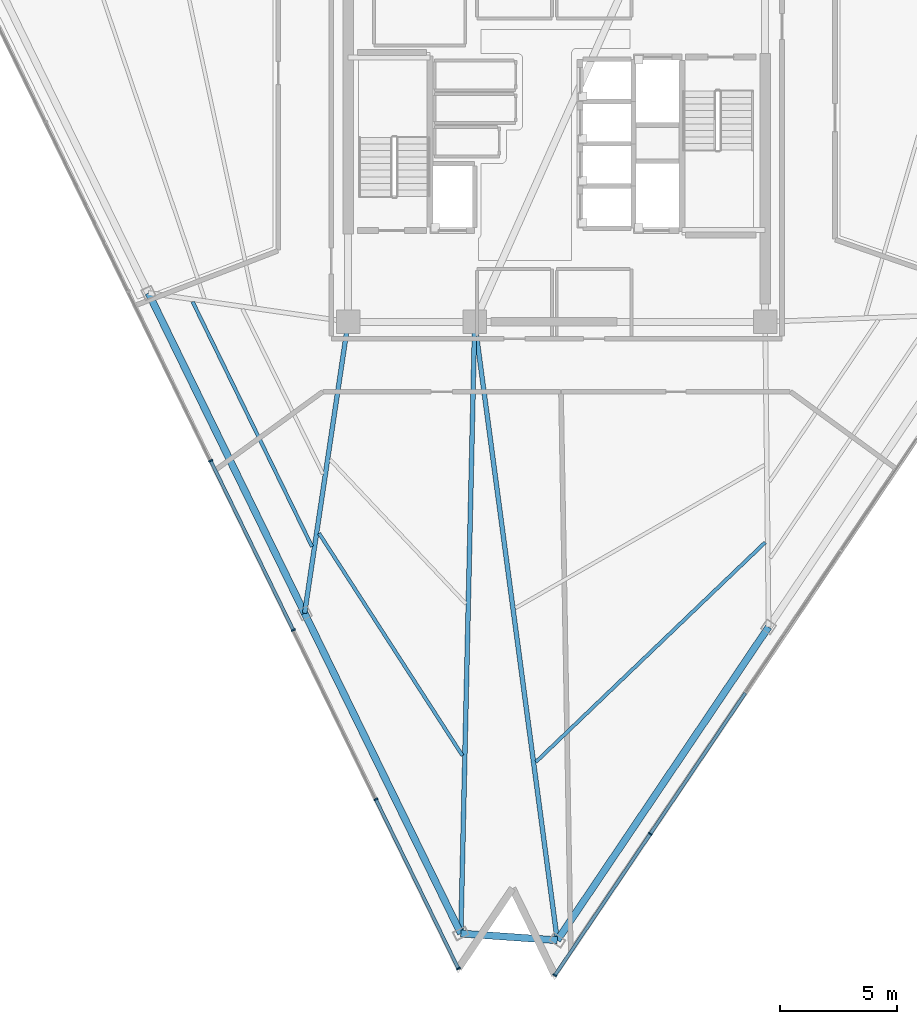
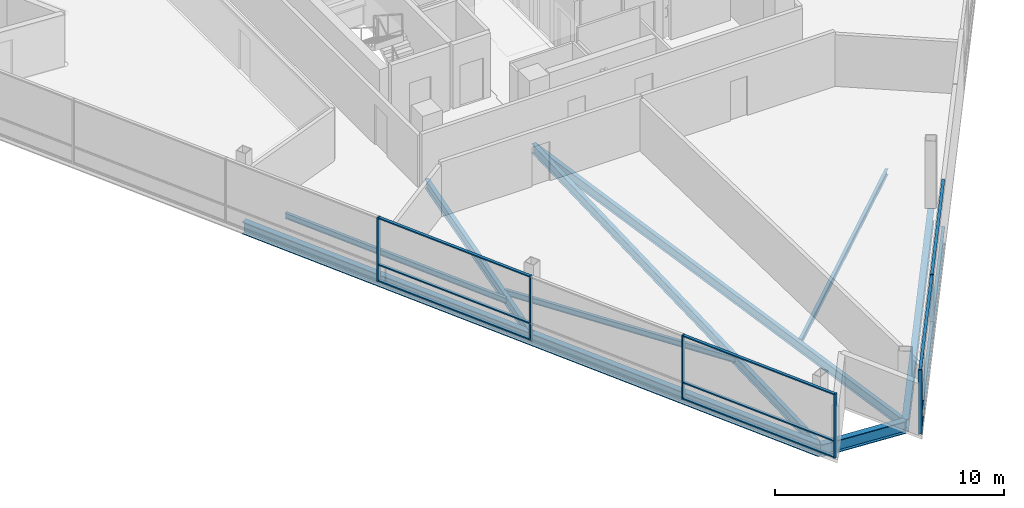
# One storey, part 2 of 14: 18 members, 10 beams, 2 elements without a shape of their own.
"""IFC4 building model written with IfcOpenShell, lengths in metres."""

from ifc_helpers import new_model, si_unit, direction, frame, origin, origin_2d, place, context, subcontext, project, spatial, rectangle, i_section, extrude, material, layer, layer_set, material_profile, profile_set, type_object, element, aggregate, save


model = new_model("IFC4")

# Units and contexts
model_context = context("Model", 3, precision=1e-05, world=origin(), true_north=direction((0.0, 1.0)))
body_context = subcontext(model_context, "Body", "Model", "MODEL_VIEW")
ifc_project = project(units=[si_unit("LENGTHUNIT", "METRE"), si_unit("AREAUNIT", "SQUARE_METRE"), si_unit("VOLUMEUNIT", "CUBIC_METRE"), si_unit("PLANEANGLEUNIT", "RADIAN"), si_unit("MASSUNIT", "GRAM", prefix="KILO")], contexts=[model_context])

# Site, building, storey
site_placement = place(None, origin())
site = spatial("IfcSite", under=ifc_project, at=site_placement, CompositionType="ELEMENT")
building_placement = place(site_placement, origin())
building = spatial("IfcBuilding", under=site, at=building_placement, Name="Tharavind Bronze Gate", CompositionType="ELEMENT")
storey_placement = place(building_placement, frame((0.0, 0.0, 241.449951171875)))
storey = spatial("IfcBuildingStorey", under=building, at=storey_placement, Name="L62", CompositionType="ELEMENT", Elevation=241.449951171875)

# Curtain wall, members
ifc_material_1 = material(Name="Anodised Bronze Aluminium", Category="aluminium")
ifc_layer = layer(ifc_material_1, 0.219970703125)
ifc_layer_set = layer_set([ifc_layer], Name="Anodised Bronze Aluminium")
curtain_wall_type = type_object("IfcCurtainWallType", Name="UNITISED CURTAIN WALL UPPER OFFICE", PredefinedType="USERDEFINED", material=ifc_layer_set)
curtain_wall_1_placement = place(storey_placement, origin())
curtain_wall_1 = element("IfcCurtainWall", 1, at=curtain_wall_1_placement, inside=storey, type_object=curtain_wall_type, Name="L62 unitised curtain wall upper office CW-L62-S1", ObjectType="UNITISED CURTAIN WALL", PredefinedType="USERDEFINED")
member_type_1 = type_object("IfcMemberType", Name="CURTAIN WALL BRONZE MULLION 65X180", PredefinedType="MULLION", material=ifc_material_1)
member_1_placement = place(storey_placement, frame((-14.76611328125, -13.532958984375, 0.0), z_axis=(0.0, 0.0, 1.0), x_axis=(0.438371146789, -0.898794046299, 0.0)))
member_1 = element("IfcMember", 2, at=member_1_placement, type_object=member_type_1, Name="CW-L62-S1 mullion 4", PredefinedType="MULLION", context=body_context, shape_type="SweptSolid", body=[
    extrude(rectangle(XDim=0.06494140625, YDim=0.179931640625, at=origin_2d()), origin(), (0.0, 0.0, 1.0), 3.419921875),
])
member_2_placement = place(storey_placement, frame((-11.24267578125, -20.75732421875, 0.0), z_axis=(0.0, 0.0, 1.0), x_axis=(0.438371146789, -0.898794046299, 0.0)))
member_2 = element("IfcMember", 3, at=member_2_placement, type_object=member_type_1, Name="CW-L62-S1 mullion 5", PredefinedType="MULLION", context=body_context, shape_type="SweptSolid", body=[
    extrude(rectangle(XDim=0.06494140625, YDim=0.179931640625, at=origin_2d()), origin(), (0.0, 0.0, 1.0), 3.419921875),
])
member_3_placement = place(storey_placement, frame((-7.718994140625, -27.98193359375, 0.0), z_axis=(0.0, 0.0, 1.0), x_axis=(0.438371146789, -0.898794046299, 0.0)))
member_3 = element("IfcMember", 4, at=member_3_placement, type_object=member_type_1, Name="CW-L62-S1 mullion 6", PredefinedType="MULLION", context=body_context, shape_type="SweptSolid", body=[
    extrude(rectangle(XDim=0.06494140625, YDim=0.179931640625, at=origin_2d()), origin(), (0.0, 0.0, 1.0), 3.419921875),
])
member_4_placement = place(storey_placement, frame((-4.1953125, -35.20654296875, 0.0), z_axis=(0.0, 0.0, 1.0), x_axis=(0.438371146789, -0.898794046299, 0.0)))
member_4 = element("IfcMember", 5, at=member_4_placement, type_object=member_type_1, Name="CW-L62-S1 mullion 7", PredefinedType="MULLION", context=body_context, shape_type="SweptSolid", body=[
    extrude(rectangle(XDim=0.06494140625, YDim=0.179931640625, at=origin_2d()), origin(), (0.0, 0.0, 1.0), 3.419921875),
])

curtain_wall_2_placement = place(storey_placement, origin())
curtain_wall_2 = element("IfcCurtainWall", 6, at=curtain_wall_2_placement, inside=storey, type_object=curtain_wall_type, Name="L62 unitised curtain wall upper office CW-L62-S2", ObjectType="UNITISED CURTAIN WALL", PredefinedType="USERDEFINED")
member_5_placement = place(storey_placement, frame((-0.077392578125, -35.494384765625, 0.0), z_axis=(0.0, 0.0, 1.0), x_axis=(0.559192903471, 0.829037572555, 0.0)))
member_5 = element("IfcMember", 7, at=member_5_placement, type_object=member_type_1, Name="CW-L62-S2 mullion 1", PredefinedType="MULLION", context=body_context, shape_type="SweptSolid", body=[
    extrude(rectangle(XDim=0.06494140625, YDim=0.179931640625, at=origin_2d()), origin(), (0.0, 0.0, 1.0), 3.419921875),
])
member_6_placement = place(storey_placement, frame((3.9951171875, -29.45654296875, 0.0), z_axis=(0.0, 0.0, 1.0), x_axis=(0.559192903471, 0.829037572555, 0.0)))
member_6 = element("IfcMember", 8, at=member_6_placement, type_object=member_type_1, Name="CW-L62-S2 mullion 2", PredefinedType="MULLION", context=body_context, shape_type="SweptSolid", body=[
    extrude(rectangle(XDim=0.06494140625, YDim=0.179931640625, at=origin_2d()), origin(), (0.0, 0.0, 1.0), 3.419921875),
])

# Member
member_type_2 = type_object("IfcMemberType", Name="CURTAIN WALL BRONZE TRANSOM 65X140", PredefinedType="USERDEFINED", material=ifc_material_1)
member_7_placement = place(storey_placement, frame((-13.00439453125, -17.145263671875, 0.0), z_axis=(0.0, 0.0, 1.0), x_axis=(0.438371146789, -0.898794046299, 0.0)))
member_7 = element("IfcMember", 9, at=member_7_placement, type_object=member_type_2, Name="CW-L62-S1 transom TB4", ObjectType="TRANSOM", PredefinedType="USERDEFINED", context=body_context, shape_type="SweptSolid", body=[
    extrude(rectangle(XDim=7.985107421875, YDim=0.139892578125, at=origin_2d()), origin(), (0.0, 0.0, 1.0), 0.06494140625),
])

member_8_placement = place(storey_placement, frame((-13.00439453125, -17.145263671875, 0.86767578125), z_axis=(0.0, 0.0, 1.0), x_axis=(0.438371146789, -0.898794046299, 0.0)))
member_8 = element("IfcMember", 10, at=member_8_placement, type_object=member_type_2, Name="CW-L62-S1 transom TS4", ObjectType="TRANSOM", PredefinedType="USERDEFINED", context=body_context, shape_type="SweptSolid", body=[
    extrude(rectangle(XDim=7.985107421875, YDim=0.139892578125, at=origin_2d()), origin(), (0.0, 0.0, 1.0), 0.06494140625),
])

member_9_placement = place(storey_placement, frame((-13.00439453125, -17.145263671875, 3.35498046875), z_axis=(0.0, 0.0, 1.0), x_axis=(0.438371146789, -0.898794046299, 0.0)))
member_9 = element("IfcMember", 11, at=member_9_placement, type_object=member_type_2, Name="CW-L62-S1 transom TT4", ObjectType="TRANSOM", PredefinedType="USERDEFINED", context=body_context, shape_type="SweptSolid", body=[
    extrude(rectangle(XDim=7.985107421875, YDim=0.139892578125, at=origin_2d()), origin(), (0.0, 0.0, 1.0), 0.06494140625),
])

member_10_placement = place(storey_placement, frame((-5.95703125, -31.59423828125, 0.0), z_axis=(0.0, 0.0, 1.0), x_axis=(0.438371146789, -0.898794046299, 0.0)))
member_10 = element("IfcMember", 12, at=member_10_placement, type_object=member_type_2, Name="CW-L62-S1 transom TB6", ObjectType="TRANSOM", PredefinedType="USERDEFINED", context=body_context, shape_type="SweptSolid", body=[
    extrude(rectangle(XDim=7.985107421875, YDim=0.139892578125, at=origin_2d()), origin(), (0.0, 0.0, 1.0), 0.06494140625),
])

member_11_placement = place(storey_placement, frame((-5.95703125, -31.59423828125, 0.86767578125), z_axis=(0.0, 0.0, 1.0), x_axis=(0.438371146789, -0.898794046299, 0.0)))
member_11 = element("IfcMember", 13, at=member_11_placement, type_object=member_type_2, Name="CW-L62-S1 transom TS6", ObjectType="TRANSOM", PredefinedType="USERDEFINED", context=body_context, shape_type="SweptSolid", body=[
    extrude(rectangle(XDim=7.985107421875, YDim=0.139892578125, at=origin_2d()), origin(), (0.0, 0.0, 1.0), 0.06494140625),
])

member_12_placement = place(storey_placement, frame((-5.95703125, -31.59423828125, 3.35498046875), z_axis=(0.0, 0.0, 1.0), x_axis=(0.438371146789, -0.898794046299, 0.0)))
member_12 = element("IfcMember", 14, at=member_12_placement, type_object=member_type_2, Name="CW-L62-S1 transom TT6", ObjectType="TRANSOM", PredefinedType="USERDEFINED", context=body_context, shape_type="SweptSolid", body=[
    extrude(rectangle(XDim=7.985107421875, YDim=0.139892578125, at=origin_2d()), origin(), (0.0, 0.0, 1.0), 0.06494140625),
])

aggregate(curtain_wall_1, [member_1, member_2, member_3, member_4, member_7, member_8, member_9, member_10, member_11, member_12])

member_13_placement = place(storey_placement, frame((1.958984375, -32.4755859375, 0.0), z_axis=(0.0, 0.0, 1.0), x_axis=(0.559192903471, 0.829037572555, 0.0)))
member_13 = element("IfcMember", 15, at=member_13_placement, type_object=member_type_2, Name="CW-L62-S2 transom TB1", ObjectType="TRANSOM", PredefinedType="USERDEFINED", context=body_context, shape_type="SweptSolid", body=[
    extrude(rectangle(XDim=7.22998046875, YDim=0.139892578125, at=origin_2d()), origin(), (0.0, 0.0, 1.0), 0.06494140625),
])

member_14_placement = place(storey_placement, frame((1.958984375, -32.4755859375, 0.86767578125), z_axis=(0.0, 0.0, 1.0), x_axis=(0.559192903471, 0.829037572555, 0.0)))
member_14 = element("IfcMember", 16, at=member_14_placement, type_object=member_type_2, Name="CW-L62-S2 transom TS1", ObjectType="TRANSOM", PredefinedType="USERDEFINED", context=body_context, shape_type="SweptSolid", body=[
    extrude(rectangle(XDim=7.22998046875, YDim=0.139892578125, at=origin_2d()), origin(), (0.0, 0.0, 1.0), 0.06494140625),
])

member_15_placement = place(storey_placement, frame((1.958984375, -32.4755859375, 3.35498046875), z_axis=(0.0, 0.0, 1.0), x_axis=(0.559192903471, 0.829037572555, 0.0)))
member_15 = element("IfcMember", 17, at=member_15_placement, type_object=member_type_2, Name="CW-L62-S2 transom TT1", ObjectType="TRANSOM", PredefinedType="USERDEFINED", context=body_context, shape_type="SweptSolid", body=[
    extrude(rectangle(XDim=7.22998046875, YDim=0.139892578125, at=origin_2d()), origin(), (0.0, 0.0, 1.0), 0.06494140625),
])

member_16_placement = place(storey_placement, frame((6.031494140625, -26.437744140625, 0.0), z_axis=(0.0, 0.0, 1.0), x_axis=(0.559192903471, 0.829037572555, 0.0)))
member_16 = element("IfcMember", 18, at=member_16_placement, type_object=member_type_2, Name="CW-L62-S2 transom TB2", ObjectType="TRANSOM", PredefinedType="USERDEFINED", context=body_context, shape_type="SweptSolid", body=[
    extrude(rectangle(XDim=7.22998046875, YDim=0.139892578125, at=origin_2d()), origin(), (0.0, 0.0, 1.0), 0.06494140625),
])

member_17_placement = place(storey_placement, frame((6.031494140625, -26.437744140625, 0.86767578125), z_axis=(0.0, 0.0, 1.0), x_axis=(0.559192903471, 0.829037572555, 0.0)))
member_17 = element("IfcMember", 19, at=member_17_placement, type_object=member_type_2, Name="CW-L62-S2 transom TS2", ObjectType="TRANSOM", PredefinedType="USERDEFINED", context=body_context, shape_type="SweptSolid", body=[
    extrude(rectangle(XDim=7.22998046875, YDim=0.139892578125, at=origin_2d()), origin(), (0.0, 0.0, 1.0), 0.06494140625),
])

member_18_placement = place(storey_placement, frame((6.031494140625, -26.437744140625, 3.35498046875), z_axis=(0.0, 0.0, 1.0), x_axis=(0.559192903471, 0.829037572555, 0.0)))
member_18 = element("IfcMember", 20, at=member_18_placement, type_object=member_type_2, Name="CW-L62-S2 transom TT2", ObjectType="TRANSOM", PredefinedType="USERDEFINED", context=body_context, shape_type="SweptSolid", body=[
    extrude(rectangle(XDim=7.22998046875, YDim=0.139892578125, at=origin_2d()), origin(), (0.0, 0.0, 1.0), 0.06494140625),
])

aggregate(curtain_wall_2, [member_5, member_6, member_13, member_14, member_15, member_16, member_17, member_18])

# Beams
ifc_material_2 = material(Name="Steel S355", Category="steel")
ifc_material_profile_1 = material_profile(ifc_material_2, i_section(OverallWidth=0.300048828125, OverallDepth=0.64990234375, WebThickness=0.01611328125, FlangeThickness=0.031005859375, at=origin_2d()), Name="HE650B")
ifc_profile_set_1 = profile_set([ifc_material_profile_1], Name="Steel S355")
beam_type_1 = type_object("IfcBeamType", Name="PRIMARY GIRDER HE650B", PredefinedType="USERDEFINED", material=ifc_profile_set_1)
beam_1_placement = place(storey_placement, frame((-17.42578125, -6.368896484375, -0.5048828125), z_axis=(0.438369868708, -0.89879466966, 0.0), x_axis=(0.89879466966, 0.438369868708, 0.0)))
element("IfcBeam", 21, at=beam_1_placement, inside=storey, type_object=beam_type_1, Name="L62 primary girder he650b BM-L62-PRG02", ObjectType="GIRDER", PredefinedType="USERDEFINED", context=body_context, shape_type="SweptSolid", body=[
    extrude(i_section(OverallWidth=0.300048828125, OverallDepth=0.64990234375, WebThickness=0.01611328125, FlangeThickness=0.031005859375, at=origin_2d()), origin(), (0.0, 0.0, 1.0), 15.209716796875),
])
beam_2_placement = place(storey_placement, frame((-10.75830078125, -20.039306640625, -0.5048828125), z_axis=(0.438370186885, -0.898794514475, 0.0), x_axis=(0.898794514475, 0.438370186885, 0.0)))
element("IfcBeam", 22, at=beam_2_placement, inside=storey, type_object=beam_type_1, Name="L62 primary girder he650b BM-L62-PRG03", ObjectType="GIRDER", PredefinedType="USERDEFINED", context=body_context, shape_type="SweptSolid", body=[
    extrude(i_section(OverallWidth=0.300048828125, OverallDepth=0.64990234375, WebThickness=0.01611328125, FlangeThickness=0.031005859375, at=origin_2d()), origin(), (0.0, 0.0, 1.0), 15.210205078125),
])
beam_3_placement = place(storey_placement, frame((-4.090576171875, -33.710205078125, -0.5048828125), z_axis=(0.99756592469, -0.069729662964, 0.0), x_axis=(0.069729662964, 0.99756592469, 0.0)))
element("IfcBeam", 23, at=beam_3_placement, inside=storey, type_object=beam_type_1, Name="L62 primary girder he650b BM-L62-PRG04", ObjectType="GIRDER", PredefinedType="USERDEFINED", context=body_context, shape_type="SweptSolid", body=[
    extrude(i_section(OverallWidth=0.300048828125, OverallDepth=0.64990234375, WebThickness=0.01611328125, FlangeThickness=0.031005859375, at=origin_2d()), origin(), (0.0, 0.0, 1.0), 4.1279296875),
])
beam_4_placement = place(storey_placement, frame((0.02734375, -33.998046875, -0.5048828125), z_axis=(0.559188128577, 0.829040793241, 0.0), x_axis=(-0.829040793241, 0.559188128577, 0.0)))
element("IfcBeam", 24, at=beam_4_placement, inside=storey, type_object=beam_type_1, Name="L62 primary girder he650b BM-L62-PRG05", ObjectType="GIRDER", PredefinedType="USERDEFINED", context=body_context, shape_type="SweptSolid", body=[
    extrude(i_section(OverallWidth=0.300048828125, OverallDepth=0.64990234375, WebThickness=0.01611328125, FlangeThickness=0.031005859375, at=origin_2d()), origin(), (0.0, 0.0, 1.0), 16.12744140625),
])
ifc_material_profile_2 = material_profile(ifc_material_2, i_section(OverallWidth=0.199951171875, OverallDepth=0.5, WebThickness=0.01025390625, FlangeThickness=0.01611328125, at=origin_2d()), Name="IPE500")
ifc_profile_set_2 = profile_set([ifc_material_profile_2], Name="Steel S355")
beam_type_2 = type_object("IfcBeamType", Name="PRIMARY GIRDER IPE500", PredefinedType="USERDEFINED", material=ifc_profile_set_2)
beam_5_placement = place(storey_placement, frame((-10.75830078125, -20.039306640625, -0.429931640625), z_axis=(0.147758563849, 0.989023461203, 0.0), x_axis=(-0.989023461203, 0.147758563849, 0.0)))
element("IfcBeam", 25, at=beam_5_placement, inside=storey, type_object=beam_type_2, Name="L62 primary girder ipe500 BM-L62-RAD03", ObjectType="GIRDER", PredefinedType="USERDEFINED", context=body_context, shape_type="SweptSolid", body=[
    extrude(i_section(OverallWidth=0.199951171875, OverallDepth=0.5, WebThickness=0.01025390625, FlangeThickness=0.01611328125, at=origin_2d()), origin(), (0.0, 0.0, 1.0), 12.5771484375),
])
beam_6_placement = place(storey_placement, frame((-4.090576171875, -33.710205078125, -0.429931640625), z_axis=(0.022612896588, 0.999744295762, 0.0), x_axis=(-0.999744295762, 0.022612896588, 0.0)))
element("IfcBeam", 26, at=beam_6_placement, inside=storey, type_object=beam_type_2, Name="L62 primary girder ipe500 BM-L62-RAD04", ObjectType="GIRDER", PredefinedType="USERDEFINED", context=body_context, shape_type="SweptSolid", body=[
    extrude(i_section(OverallWidth=0.199951171875, OverallDepth=0.5, WebThickness=0.01025390625, FlangeThickness=0.01611328125, at=origin_2d()), origin(), (0.0, 0.0, 1.0), 26.11669921875),
])
beam_7_placement = place(storey_placement, frame((0.02734375, -33.998046875, -0.429931640625), z_axis=(-0.132444729181, 0.991190392262, 0.0), x_axis=(-0.991190392262, -0.132444729181, 0.0)))
element("IfcBeam", 27, at=beam_7_placement, inside=storey, type_object=beam_type_2, Name="L62 primary girder ipe500 BM-L62-RAD05", ObjectType="GIRDER", PredefinedType="USERDEFINED", context=body_context, shape_type="SweptSolid", body=[
    extrude(i_section(OverallWidth=0.199951171875, OverallDepth=0.5, WebThickness=0.01025390625, FlangeThickness=0.01611328125, at=origin_2d()), origin(), (0.0, 0.0, 1.0), 26.632568359375),
])
ifc_material_profile_3 = material_profile(ifc_material_2, i_section(OverallWidth=0.14990234375, OverallDepth=0.300048828125, WebThickness=0.007080078125, FlangeThickness=0.0107421875, at=origin_2d()), Name="IPE300")
ifc_profile_set_3 = profile_set([ifc_material_profile_3], Name="Steel S355")
beam_type_3 = type_object("IfcBeamType", Name="SECONDARY FLOOR JOIST IPE300", PredefinedType="JOIST", material=ifc_profile_set_3)
beam_8_placement = place(storey_placement, frame((-15.5380859375, -6.745849609375, -0.329833984375), z_axis=(0.438386835701, -0.898786394136, 0.0), x_axis=(0.898786394136, 0.438386835701, 0.0)))
element("IfcBeam", 28, at=beam_8_placement, inside=storey, type_object=beam_type_3, Name="L62 secondary floor joist ipe300 BM-L62-JSTB02", PredefinedType="JOIST", context=body_context, shape_type="SweptSolid", body=[
    extrude(i_section(OverallWidth=0.14990234375, OverallDepth=0.300048828125, WebThickness=0.007080078125, FlangeThickness=0.0107421875, at=origin_2d()), origin(), (0.0, 0.0, 1.0), 11.63427734375),
])
beam_9_placement = place(storey_placement, frame((-10.144287109375, -16.624755859375, -0.329833984375), z_axis=(0.54214213251, -0.840286801132, 0.0), x_axis=(0.840286801132, 0.54214213251, 0.0)))
element("IfcBeam", 29, at=beam_9_placement, inside=storey, type_object=beam_type_3, Name="L62 secondary floor joist ipe300 BM-L62-JSTB03", PredefinedType="JOIST", context=body_context, shape_type="SweptSolid", body=[
    extrude(i_section(OverallWidth=0.14990234375, OverallDepth=0.300048828125, WebThickness=0.007080078125, FlangeThickness=0.0107421875, at=origin_2d()), origin(), (0.0, 0.0, 1.0), 11.294677734375),
])
beam_10_placement = place(storey_placement, frame((-0.885498046875, -26.385986328125, -0.329833984375), z_axis=(0.722227015717, 0.691656083446, 0.0), x_axis=(-0.691656083446, 0.722227015717, 0.0)))
element("IfcBeam", 30, at=beam_10_placement, inside=storey, type_object=beam_type_3, Name="L62 secondary floor joist ipe300 BM-L62-JSTB05", PredefinedType="JOIST", context=body_context, shape_type="SweptSolid", body=[
    extrude(i_section(OverallWidth=0.14990234375, OverallDepth=0.300048828125, WebThickness=0.007080078125, FlangeThickness=0.0107421875, at=origin_2d()), origin(), (0.0, 0.0, 1.0), 13.55224609375),
])

save(model, "model.ifc")
